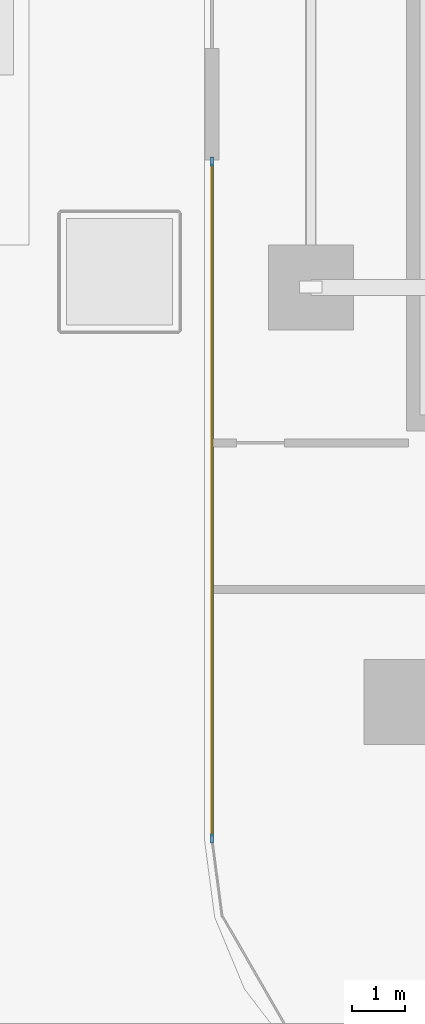
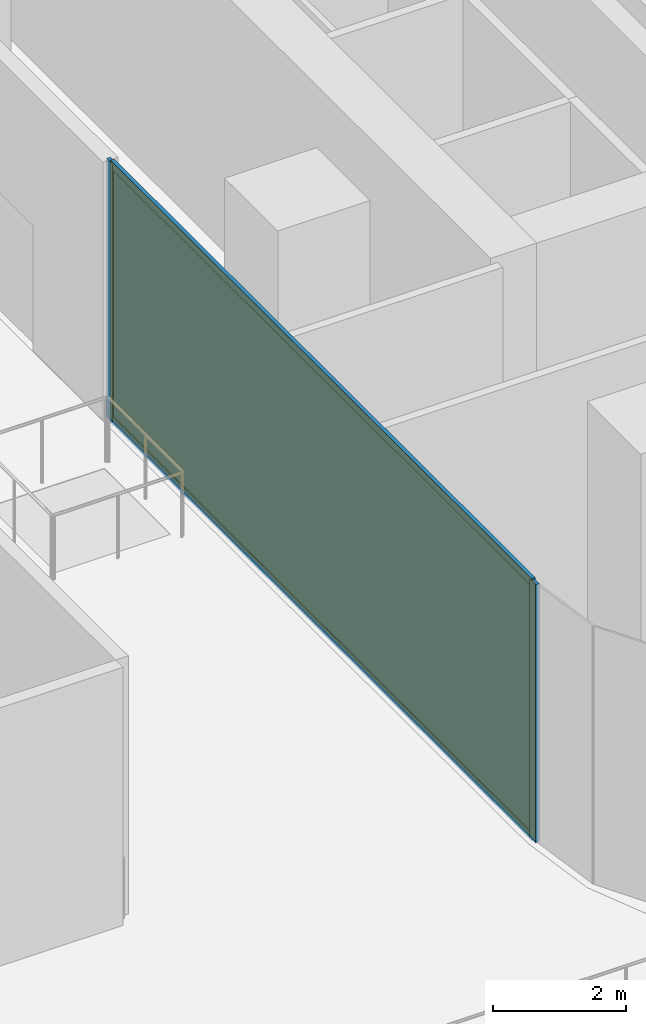
# One storey, part 10 of 21: 4 members, 1 curtain wall, 1 plate.
"""IFC4 building model written with IfcOpenShell, lengths in metres."""

from ifc_helpers import new_model, si_unit, direction, frame, frame_2d, origin, origin_2d, place, context, subcontext, project, spatial, rectangle, extrude, material, layer, layer_set, material_profile, profile_set, type_object, element, aggregate, save


model = new_model("IFC4")

# Units and contexts
model_context = context("Model", 3, precision=1e-05, world=origin(), true_north=direction((0.0, 1.0)))
body_context = subcontext(model_context, "Body", "Model", "MODEL_VIEW")
ifc_project = project(units=[si_unit("LENGTHUNIT", "METRE"), si_unit("AREAUNIT", "SQUARE_METRE"), si_unit("VOLUMEUNIT", "CUBIC_METRE"), si_unit("PLANEANGLEUNIT", "RADIAN"), si_unit("MASSUNIT", "GRAM", prefix="KILO")], contexts=[model_context])

# Member
ifc_material_1 = material(Name="Anodised Bronze Aluminium 6063-T6", Category="aluminium")
ifc_material_profile_1 = material_profile(ifc_material_1, rectangle(XDim=0.06494140625, YDim=0.179931640625, at=origin_2d()))
ifc_profile_set_1 = profile_set([ifc_material_profile_1], Name="Anodised Bronze Aluminium 6063-T6")
member_type_1 = type_object("IfcMemberType", Name="CW-Z1 Mullion 65x180", PredefinedType="MULLION", material=ifc_profile_set_1)
site_placement = place(None, origin())
building_placement = place(site_placement, origin())
storey_placement = place(building_placement, frame((0.0, 0.0, 21.0)))
member_1_placement = place(storey_placement, frame((-24.06005859375, -21.158203125, 0.0), z_axis=(0.0, 0.0, 1.0), x_axis=(-1.0, 0.0, 0.0)))
member_1 = element("IfcMember", 1, at=member_1_placement, type_object=member_type_1, Name="CW-Z1 mullion 1", PredefinedType="MULLION", context=body_context, shape_type="SweptSolid", body=[
    extrude(rectangle(XDim=0.06494140625, YDim=0.179931640625, at=origin_2d()), origin(), (0.0, 0.0, 1.0), 4.739990234375),
])

member_2_placement = place(storey_placement, frame((-24.06005859375, -8.4326171875, 0.0), z_axis=(0.0, 0.0, 1.0), x_axis=(-1.0, 0.0, 0.0)))
member_2 = element("IfcMember", 2, at=member_2_placement, type_object=member_type_1, Name="CW-Z1 mullion 2", PredefinedType="MULLION", context=body_context, shape_type="SweptSolid", body=[
    extrude(rectangle(XDim=0.06494140625, YDim=0.179931640625, at=origin_2d()), origin(), (0.0, 0.0, 1.0), 4.739990234375),
])

ifc_material_2 = material(Name="Anodised Bronze Aluminium 6063-T6", Category="aluminium")
ifc_material_profile_2 = material_profile(ifc_material_2, rectangle(XDim=0.06494140625, YDim=0.139892578125, at=origin_2d()))
ifc_profile_set_2 = profile_set([ifc_material_profile_2], Name="Anodised Bronze Aluminium 6063-T6")
member_type_2 = type_object("IfcMemberType", Name="CW-Z1 Transom 65x140", PredefinedType="USERDEFINED", material=ifc_profile_set_2)
member_3_placement = place(storey_placement, frame((-24.06005859375, -21.125732421875, 0.032470703125), z_axis=(0.0, 1.0, 0.0), x_axis=(-1.0, 0.0, 0.0)))
member_3 = element("IfcMember", 3, at=member_3_placement, type_object=member_type_2, Name="CW-Z1 transom 1.1", ObjectType="TRANSOM", PredefinedType="USERDEFINED", context=body_context, shape_type="SweptSolid", body=[
    extrude(rectangle(XDim=0.06494140625, YDim=0.139892578125, at=origin_2d()), origin(), (0.0, 0.0, 1.0), 12.66064453125),
])

member_4_placement = place(storey_placement, frame((-24.06005859375, -21.125732421875, 4.70751953125), z_axis=(0.0, 1.0, 0.0), x_axis=(-1.0, 0.0, 0.0)))
member_4 = element("IfcMember", 4, at=member_4_placement, type_object=member_type_2, Name="CW-Z1 transom 1.2", ObjectType="TRANSOM", PredefinedType="USERDEFINED", context=body_context, shape_type="SweptSolid", body=[
    extrude(rectangle(XDim=0.06494140625, YDim=0.139892578125, at=origin_2d()), origin(), (0.0, 0.0, 1.0), 12.66064453125),
])

# Plate
ifc_material_3 = material(Name="Low-E Solar Control Laminated Glass", Category="glass")
ifc_layer_1 = layer(ifc_material_3, 0.028076171875, Name="Low-E Solar Control Laminated Glass")
ifc_layer_set_1 = layer_set([ifc_layer_1], Name="Low-E Solar Control Laminated Glass")
plate_type = type_object("IfcPlateType", Name="CW-Z1 Low-E Double Glazed Panel 28mm", PredefinedType="CURTAIN_PANEL", material=ifc_layer_set_1)
plate_placement = place(storey_placement, frame((-24.06005859375, -14.79541015625, 0.06494140625), z_axis=(0.0, 0.0, 1.0), x_axis=(0.0, 1.0, 0.0)))
plate = element("IfcPlate", 5, at=plate_placement, type_object=plate_type, Name="CW-Z1 panel 1.1", PredefinedType="CURTAIN_PANEL", context=body_context, shape_type="SweptSolid", body=[
    extrude(rectangle(XDim=12.660888671875, YDim=0.028076171875, at=origin_2d()), origin(), (0.0, 0.0, 1.0), 4.610107421875),
])

# Site, building, storey
site = spatial("IfcSite", under=ifc_project, at=site_placement, CompositionType="ELEMENT")
building = spatial("IfcBuilding", under=site, at=building_placement, Name="Khairoan Windgate Tower", CompositionType="ELEMENT")
storey = spatial("IfcBuildingStorey", under=building, at=storey_placement, Name="L05", CompositionType="ELEMENT", Elevation=21.0)

# Curtain wall
ifc_material_4 = material(Name="Anodised Bronze Aluminium 6063-T6", Category="aluminium")
ifc_layer_2 = layer(ifc_material_4, 0.179931640625, Name="Anodised Bronze Aluminium 6063-T6")
ifc_layer_set_2 = layer_set([ifc_layer_2], Name="Anodised Bronze Aluminium 6063-T6")
curtain_wall_type = type_object("IfcCurtainWallType", Name="Low-Rise Office Unitised Curtain Wall CW-Z1", PredefinedType="NOTDEFINED", material=ifc_layer_set_2)
curtain_wall_placement = place(storey_placement, frame((-24.06005859375, -21.19091796875, 0.0), z_axis=(0.0, 0.0, 1.0), x_axis=(0.0, 1.0, 0.0)))
curtain_wall = element("IfcCurtainWall", 6, at=curtain_wall_placement, inside=storey, type_object=curtain_wall_type, Name="L05 Curtain Wall 5A", PredefinedType="NOTDEFINED", context=body_context, shape_type="SweptSolid", body=[
    extrude(rectangle(XDim=12.791015625, YDim=0.010009765625, at=frame_2d((6.3955078125, 0.0))), origin(), (0.0, 0.0, 1.0), 4.739990234375),
])

aggregate(curtain_wall, [member_1, member_2, member_3, member_4, plate])

save(model, "model.ifc")
